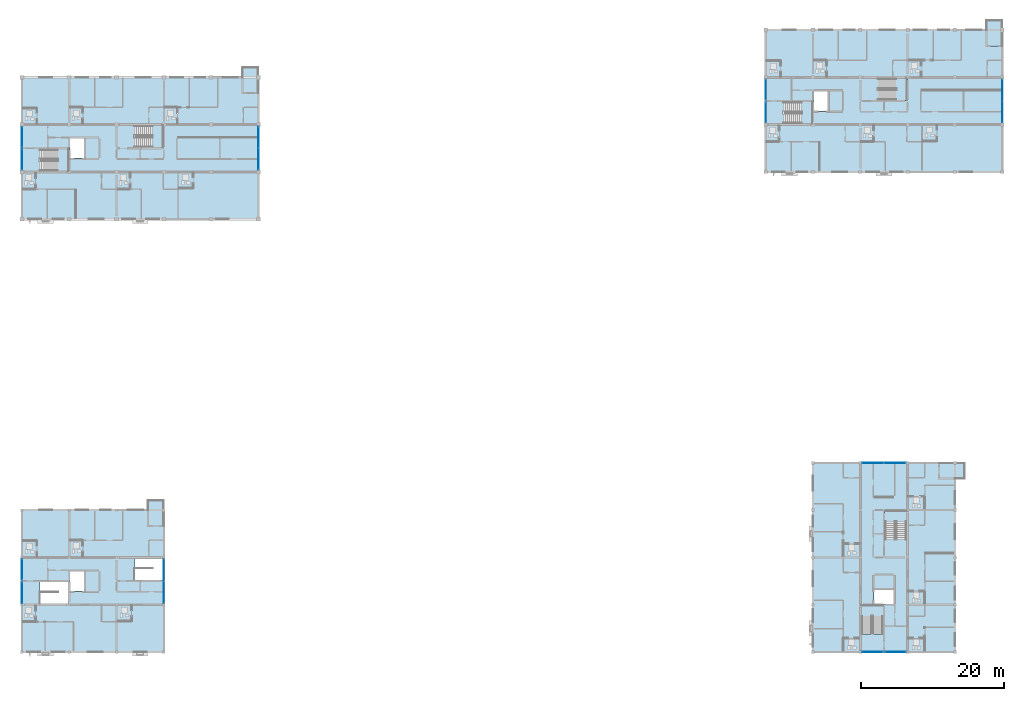
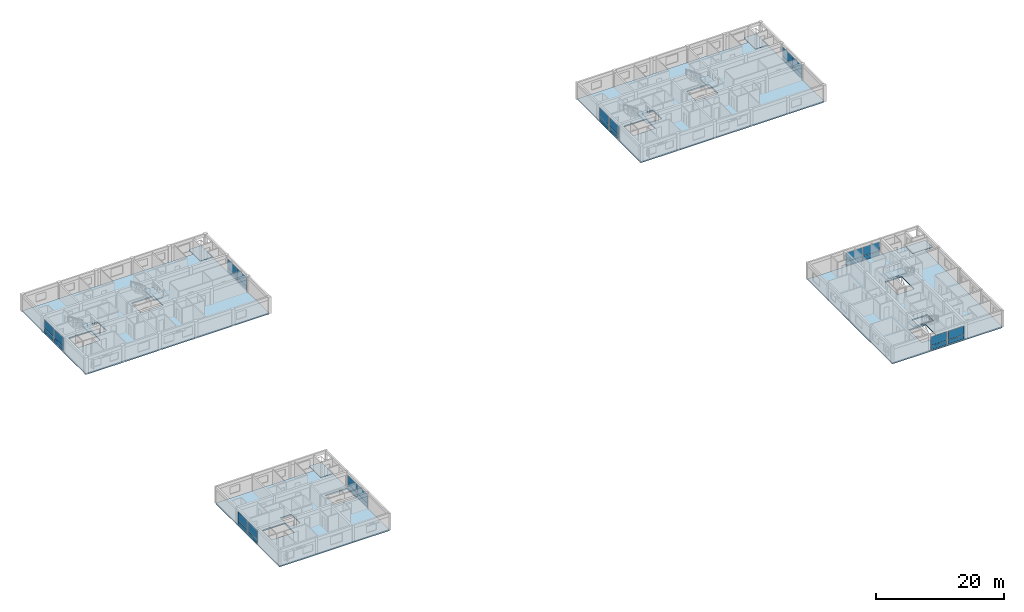
# One storey, part 24 of 49: 32 plates, 14 slabs, 18 elements without a shape of their own.
"""IFC4 building model written with IfcOpenShell, lengths in metres."""

from ifc_helpers import new_model, si_unit, direction, frame, origin, origin_2d, place, context, subcontext, project, spatial, polyline, rectangle, outline, extrude, material, layer, layer_set, type_object, element, aggregate, save


model = new_model("IFC4")

# Units and contexts
model_context = context("Model", 3, precision=1e-05, world=origin(), true_north=direction((0.0, 1.0)))
body_context = subcontext(model_context, "Body", "Model", "MODEL_VIEW")
ifc_project = project(units=[si_unit("LENGTHUNIT", "METRE"), si_unit("AREAUNIT", "SQUARE_METRE"), si_unit("VOLUMEUNIT", "CUBIC_METRE"), si_unit("PLANEANGLEUNIT", "RADIAN"), si_unit("MASSUNIT", "GRAM", prefix="KILO")], contexts=[model_context])

# Site, building, storey
site_placement = place(None, origin())
site = spatial("IfcSite", under=ifc_project, at=site_placement, CompositionType="ELEMENT")
building_placement = place(site_placement, origin())
building = spatial("IfcBuilding", under=site, at=building_placement, Name="Kernevlak Ridge Housing Community", CompositionType="ELEMENT")
storey_placement = place(building_placement, frame((0.0, 0.0, 30.800048828125)))
storey = spatial("IfcBuildingStorey", under=building, at=storey_placement, Name="L09", CompositionType="ELEMENT", Elevation=30.800048828125)

# Curtain wall, plate
ifc_material_1 = material(Name="Aluminium EN AW-6060 anodised and laminated glass", Category="aluminium")
curtain_wall_type_1 = type_object("IfcCurtainWallType", Name="CW-01", PredefinedType="NOTDEFINED", material=ifc_material_1)
curtain_wall_1_placement = place(storey_placement, origin())
curtain_wall_1 = element("IfcCurtainWall", 1, at=curtain_wall_1_placement, inside=storey, type_object=curtain_wall_type_1, Name="Curtain wall CW-01 CW-L09-028", PredefinedType="NOTDEFINED")
ifc_material_2 = material(Name="Solar-control double glazing glass", Category="glass")
ifc_layer_1 = layer(ifc_material_2, 0.02392578125, Name="Solar-control double glazing glass")
ifc_layer_set_1 = layer_set([ifc_layer_1], Name="Solar-control double glazing glass")
plate_type_1 = type_object("IfcPlateType", Name="CP-01", PredefinedType="CURTAIN_PANEL", material=ifc_layer_set_1)
plate_1_placement = place(storey_placement, frame((15.60009765625, 84.33251953125, 0.8798828125), z_axis=(0.0, 0.0, 1.0), x_axis=(0.0, 1.0, 0.0)))
plate_1 = element("IfcPlate", 2, at=plate_1_placement, type_object=plate_type_1, Name="CW-01 panel 1.2", PredefinedType="CURTAIN_PANEL", context=body_context, shape_type="SweptSolid", body=[
    extrude(rectangle(XDim=2.794921875, YDim=0.02392578125, at=origin_2d()), origin(), (0.0, 0.0, 1.0), 1.659912109375),
])

curtain_wall_type_2 = type_object("IfcCurtainWallType", Name="CW-07", PredefinedType="NOTDEFINED", material=ifc_material_1)
curtain_wall_2_placement = place(storey_placement, origin())
curtain_wall_2 = element("IfcCurtainWall", 3, at=curtain_wall_2_placement, inside=storey, type_object=curtain_wall_type_2, Name="Curtain wall CW-07 CW-L09-029", PredefinedType="NOTDEFINED")
plate_2_placement = place(storey_placement, frame((15.60009765625, 87.467529296875, 0.88232421875), z_axis=(0.0, 0.0, 1.0), x_axis=(0.0, 1.0, 0.0)))
plate_2 = element("IfcPlate", 4, at=plate_2_placement, type_object=plate_type_1, Name="CW-07 panel 1.2", PredefinedType="CURTAIN_PANEL", context=body_context, shape_type="SweptSolid", body=[
    extrude(rectangle(XDim=2.784912109375, YDim=0.02392578125, at=origin_2d()), origin(), (0.0, 0.0, 1.0), 1.652587890625),
])

# Curtain wall, plates
curtain_wall_type_3 = type_object("IfcCurtainWallType", Name="CW-11", PredefinedType="NOTDEFINED", material=ifc_material_1)
curtain_wall_3_placement = place(storey_placement, origin())
curtain_wall_3 = element("IfcCurtainWall", 5, at=curtain_wall_3_placement, inside=storey, type_object=curtain_wall_type_3, Name="Curtain wall CW-11 CW-L09-030", PredefinedType="NOTDEFINED")
plate_3_placement = place(storey_placement, frame((48.60009765625, 84.4013671875, 0.87744140625), z_axis=(0.0, 0.0, 1.0), x_axis=(0.0, 1.0, 0.0)))
plate_3 = element("IfcPlate", 6, at=plate_3_placement, type_object=plate_type_1, Name="CW-11 panel 1.2", PredefinedType="CURTAIN_PANEL", context=body_context, shape_type="SweptSolid", body=[
    extrude(rectangle(XDim=2.9423828125, YDim=0.02392578125, at=origin_2d()), origin(), (0.0, 0.0, 1.0), 1.66748046875),
])
plate_4_placement = place(storey_placement, frame((48.60009765625, 87.398681640625, 0.87744140625), z_axis=(0.0, 0.0, 1.0), x_axis=(0.0, 1.0, 0.0)))
plate_4 = element("IfcPlate", 7, at=plate_4_placement, type_object=plate_type_1, Name="CW-11 panel 2.2", PredefinedType="CURTAIN_PANEL", context=body_context, shape_type="SweptSolid", body=[
    extrude(rectangle(XDim=2.9423828125, YDim=0.02392578125, at=origin_2d()), origin(), (0.0, 0.0, 1.0), 1.66748046875),
])

# Curtain wall, plate
curtain_wall_type_4 = type_object("IfcCurtainWallType", Name="CW-04", PredefinedType="NOTDEFINED", material=ifc_material_1)
curtain_wall_4_placement = place(storey_placement, origin())
curtain_wall_4 = element("IfcCurtainWall", 8, at=curtain_wall_4_placement, inside=storey, type_object=curtain_wall_type_4, Name="Curtain wall CW-04 CW-L09-082", PredefinedType="NOTDEFINED")
plate_5_placement = place(storey_placement, frame((119.39990234375, 90.919921875, 0.8798828125), z_axis=(0.0, 0.0, 1.0), x_axis=(0.0, 1.0, 0.0)))
plate_5 = element("IfcPlate", 9, at=plate_5_placement, type_object=plate_type_1, Name="CW-04 panel 1.2", PredefinedType="CURTAIN_PANEL", context=body_context, shape_type="SweptSolid", body=[
    extrude(rectangle(XDim=2.820068359375, YDim=0.02392578125, at=origin_2d()), origin(), (0.0, 0.0, 1.0), 1.659912109375),
])

curtain_wall_type_5 = type_object("IfcCurtainWallType", Name="CW-10", PredefinedType="NOTDEFINED", material=ifc_material_1)
curtain_wall_5_placement = place(storey_placement, origin())
curtain_wall_5 = element("IfcCurtainWall", 10, at=curtain_wall_5_placement, inside=storey, type_object=curtain_wall_type_5, Name="Curtain wall CW-10 CW-L09-083", PredefinedType="NOTDEFINED")
plate_6_placement = place(storey_placement, frame((119.39990234375, 94.080078125, 0.88232421875), z_axis=(0.0, 0.0, 1.0), x_axis=(0.0, 1.0, 0.0)))
plate_6 = element("IfcPlate", 11, at=plate_6_placement, type_object=plate_type_1, Name="CW-10 panel 1.2", PredefinedType="CURTAIN_PANEL", context=body_context, shape_type="SweptSolid", body=[
    extrude(rectangle(XDim=2.81005859375, YDim=0.02392578125, at=origin_2d()), origin(), (0.0, 0.0, 1.0), 1.652587890625),
])

# Curtain wall, plates
curtain_wall_type_6 = type_object("IfcCurtainWallType", Name="CW-13", PredefinedType="NOTDEFINED", material=ifc_material_1)
curtain_wall_6_placement = place(storey_placement, origin())
curtain_wall_6 = element("IfcCurtainWall", 12, at=curtain_wall_6_placement, inside=storey, type_object=curtain_wall_type_6, Name="Curtain wall CW-13 CW-L09-084", PredefinedType="NOTDEFINED")
plate_7_placement = place(storey_placement, frame((152.39990234375, 90.98876953125, 0.87744140625), z_axis=(0.0, 0.0, 1.0), x_axis=(0.0, 1.0, 0.0)))
plate_7 = element("IfcPlate", 13, at=plate_7_placement, type_object=plate_type_1, Name="CW-13 panel 1.2", PredefinedType="CURTAIN_PANEL", context=body_context, shape_type="SweptSolid", body=[
    extrude(rectangle(XDim=2.967529296875, YDim=0.02392578125, at=origin_2d()), origin(), (0.0, 0.0, 1.0), 1.66748046875),
])
plate_8_placement = place(storey_placement, frame((152.39990234375, 94.01123046875, 0.87744140625), z_axis=(0.0, 0.0, 1.0), x_axis=(0.0, 1.0, 0.0)))
plate_8 = element("IfcPlate", 14, at=plate_8_placement, type_object=plate_type_1, Name="CW-13 panel 2.2", PredefinedType="CURTAIN_PANEL", context=body_context, shape_type="SweptSolid", body=[
    extrude(rectangle(XDim=2.967529296875, YDim=0.02392578125, at=origin_2d()), origin(), (0.0, 0.0, 1.0), 1.66748046875),
])

# Curtain wall, plate
curtain_wall_7_placement = place(storey_placement, origin())
curtain_wall_7 = element("IfcCurtainWall", 15, at=curtain_wall_7_placement, inside=storey, type_object=curtain_wall_type_2, Name="Curtain wall CW-07 CW-L09-127", PredefinedType="NOTDEFINED")
plate_9_placement = place(storey_placement, frame((134.294921875, 15.60009765625, 0.8798828125), z_axis=(0.0, 0.0, 1.0), x_axis=(1.0, 0.0, 0.0)))
plate_9 = element("IfcPlate", 16, at=plate_9_placement, type_object=plate_type_1, Name="CW-07 panel 1.2", PredefinedType="CURTAIN_PANEL", context=body_context, shape_type="SweptSolid", body=[
    extrude(rectangle(XDim=2.8701171875, YDim=0.02392578125, at=origin_2d()), origin(), (0.0, 0.0, 1.0), 1.659912109375),
])

curtain_wall_8_placement = place(storey_placement, origin())
curtain_wall_8 = element("IfcCurtainWall", 17, at=curtain_wall_8_placement, inside=storey, type_object=curtain_wall_type_6, Name="Curtain wall CW-13 CW-L09-128", PredefinedType="NOTDEFINED")
plate_10_placement = place(storey_placement, frame((137.5048828125, 15.60009765625, 0.88232421875), z_axis=(0.0, 0.0, 1.0), x_axis=(1.0, 0.0, 0.0)))
plate_10 = element("IfcPlate", 18, at=plate_10_placement, type_object=plate_type_1, Name="CW-13 panel 1.2", PredefinedType="CURTAIN_PANEL", context=body_context, shape_type="SweptSolid", body=[
    extrude(rectangle(XDim=2.860107421875, YDim=0.02392578125, at=origin_2d()), origin(), (0.0, 0.0, 1.0), 1.652587890625),
])

# Curtain wall, plates
curtain_wall_9_placement = place(storey_placement, origin())
curtain_wall_9 = element("IfcCurtainWall", 19, at=curtain_wall_9_placement, inside=storey, type_object=curtain_wall_type_1, Name="Curtain wall CW-01 CW-L09-129", PredefinedType="NOTDEFINED")
plate_11_placement = place(storey_placement, frame((134.36376953125, 42.0, 0.87744140625), z_axis=(0.0, 0.0, 1.0), x_axis=(1.0, 0.0, 0.0)))
plate_11 = element("IfcPlate", 20, at=plate_11_placement, type_object=plate_type_1, Name="CW-01 panel 1.2", PredefinedType="CURTAIN_PANEL", context=body_context, shape_type="SweptSolid", body=[
    extrude(rectangle(XDim=3.017578125, YDim=0.02392578125, at=origin_2d()), origin(), (0.0, 0.0, 1.0), 1.66748046875),
])
plate_12_placement = place(storey_placement, frame((137.436279296875, 42.0, 0.87744140625), z_axis=(0.0, 0.0, 1.0), x_axis=(1.0, 0.0, 0.0)))
plate_12 = element("IfcPlate", 21, at=plate_12_placement, type_object=plate_type_1, Name="CW-01 panel 2.2", PredefinedType="CURTAIN_PANEL", context=body_context, shape_type="SweptSolid", body=[
    extrude(rectangle(XDim=3.017578125, YDim=0.02392578125, at=origin_2d()), origin(), (0.0, 0.0, 1.0), 1.66748046875),
])

# Curtain wall, plate
curtain_wall_10_placement = place(storey_placement, origin())
curtain_wall_10 = element("IfcCurtainWall", 22, at=curtain_wall_10_placement, inside=storey, type_object=curtain_wall_type_5, Name="Curtain wall CW-10 CW-L09-166", PredefinedType="NOTDEFINED")
plate_13_placement = place(storey_placement, frame((15.60009765625, 23.882568359375, 0.8798828125), z_axis=(0.0, 0.0, 1.0), x_axis=(0.0, 1.0, 0.0)))
plate_13 = element("IfcPlate", 23, at=plate_13_placement, type_object=plate_type_1, Name="CW-10 panel 1.2", PredefinedType="CURTAIN_PANEL", context=body_context, shape_type="SweptSolid", body=[
    extrude(rectangle(XDim=2.89501953125, YDim=0.02392578125, at=origin_2d()), origin(), (0.0, 0.0, 1.0), 1.659912109375),
])

curtain_wall_type_7 = type_object("IfcCurtainWallType", Name="CW-02", PredefinedType="NOTDEFINED", material=ifc_material_1)
curtain_wall_11_placement = place(storey_placement, origin())
curtain_wall_11 = element("IfcCurtainWall", 24, at=curtain_wall_11_placement, inside=storey, type_object=curtain_wall_type_7, Name="Curtain wall CW-02 CW-L09-167", PredefinedType="NOTDEFINED")
plate_14_placement = place(storey_placement, frame((15.60009765625, 27.117431640625, 0.88232421875), z_axis=(0.0, 0.0, 1.0), x_axis=(0.0, 1.0, 0.0)))
plate_14 = element("IfcPlate", 25, at=plate_14_placement, type_object=plate_type_1, Name="CW-02 panel 1.2", PredefinedType="CURTAIN_PANEL", context=body_context, shape_type="SweptSolid", body=[
    extrude(rectangle(XDim=2.885009765625, YDim=0.02392578125, at=origin_2d()), origin(), (0.0, 0.0, 1.0), 1.652587890625),
])

# Curtain wall, plates
curtain_wall_type_8 = type_object("IfcCurtainWallType", Name="CW-03", PredefinedType="NOTDEFINED", material=ifc_material_1)
curtain_wall_12_placement = place(storey_placement, origin())
curtain_wall_12 = element("IfcCurtainWall", 26, at=curtain_wall_12_placement, inside=storey, type_object=curtain_wall_type_8, Name="Curtain wall CW-03 CW-L09-168", PredefinedType="NOTDEFINED")
plate_15_placement = place(storey_placement, frame((35.39990234375, 23.951171875, 0.87744140625), z_axis=(0.0, 0.0, 1.0), x_axis=(0.0, 1.0, 0.0)))
plate_15 = element("IfcPlate", 27, at=plate_15_placement, type_object=plate_type_1, Name="CW-03 panel 1.2", PredefinedType="CURTAIN_PANEL", context=body_context, shape_type="SweptSolid", body=[
    extrude(rectangle(XDim=3.04248046875, YDim=0.02392578125, at=origin_2d()), origin(), (0.0, 0.0, 1.0), 1.66748046875),
])
plate_16_placement = place(storey_placement, frame((35.39990234375, 27.048828125, 0.87744140625), z_axis=(0.0, 0.0, 1.0), x_axis=(0.0, 1.0, 0.0)))
plate_16 = element("IfcPlate", 28, at=plate_16_placement, type_object=plate_type_1, Name="CW-03 panel 2.2", PredefinedType="CURTAIN_PANEL", context=body_context, shape_type="SweptSolid", body=[
    extrude(rectangle(XDim=3.04248046875, YDim=0.02392578125, at=origin_2d()), origin(), (0.0, 0.0, 1.0), 1.66748046875),
])

# Plate
ifc_material_3 = material(Name="Aluminium EN AW-5005 enamelled panel", Category="aluminium")
ifc_layer_2 = layer(ifc_material_3, 0.033935546875, Name="Aluminium EN AW-5005 enamelled panel")
ifc_layer_set_2 = layer_set([ifc_layer_2], Name="Aluminium EN AW-5005 enamelled panel")
plate_type_2 = type_object("IfcPlateType", Name="CP-03", PredefinedType="CURTAIN_PANEL", material=ifc_layer_set_2)
plate_17_placement = place(storey_placement, frame((15.60009765625, 84.33251953125, 0.06005859375), z_axis=(0.0, 0.0, 1.0), x_axis=(0.0, 1.0, 0.0)))
plate_17 = element("IfcPlate", 29, at=plate_17_placement, type_object=plate_type_2, Name="CW-01 panel 1.1", PredefinedType="CURTAIN_PANEL", context=body_context, shape_type="SweptSolid", body=[
    extrude(rectangle(XDim=2.794921875, YDim=0.033935546875, at=origin_2d()), origin(), (0.0, 0.0, 1.0), 0.760009765625),
])

aggregate(curtain_wall_1, [plate_17, plate_1])

plate_18_placement = place(storey_placement, frame((35.39990234375, 23.951171875, 0.054931640625), z_axis=(0.0, 0.0, 1.0), x_axis=(0.0, 1.0, 0.0)))
plate_18 = element("IfcPlate", 30, at=plate_18_placement, type_object=plate_type_2, Name="CW-03 panel 1.1", PredefinedType="CURTAIN_PANEL", context=body_context, shape_type="SweptSolid", body=[
    extrude(rectangle(XDim=3.04248046875, YDim=0.033935546875, at=origin_2d()), origin(), (0.0, 0.0, 1.0), 0.767578125),
])

plate_19_placement = place(storey_placement, frame((35.39990234375, 27.048828125, 0.054931640625), z_axis=(0.0, 0.0, 1.0), x_axis=(0.0, 1.0, 0.0)))
plate_19 = element("IfcPlate", 31, at=plate_19_placement, type_object=plate_type_2, Name="CW-03 panel 2.1", PredefinedType="CURTAIN_PANEL", context=body_context, shape_type="SweptSolid", body=[
    extrude(rectangle(XDim=3.04248046875, YDim=0.033935546875, at=origin_2d()), origin(), (0.0, 0.0, 1.0), 0.767578125),
])

aggregate(curtain_wall_12, [plate_18, plate_15, plate_19, plate_16])

ifc_layer_3 = layer(ifc_material_3, 0.0380859375, Name="Aluminium EN AW-5005 enamelled panel")
ifc_layer_set_3 = layer_set([ifc_layer_3], Name="Aluminium EN AW-5005 enamelled panel")
plate_type_3 = type_object("IfcPlateType", Name="CP-04", PredefinedType="CURTAIN_PANEL", material=ifc_layer_set_3)
plate_20_placement = place(storey_placement, frame((15.60009765625, 87.467529296875, 0.06494140625), z_axis=(0.0, 0.0, 1.0), x_axis=(0.0, 1.0, 0.0)))
plate_20 = element("IfcPlate", 32, at=plate_20_placement, type_object=plate_type_3, Name="CW-07 panel 1.1", PredefinedType="CURTAIN_PANEL", context=body_context, shape_type="SweptSolid", body=[
    extrude(rectangle(XDim=2.784912109375, YDim=0.0380859375, at=origin_2d()), origin(), (0.0, 0.0, 1.0), 0.75244140625),
])

aggregate(curtain_wall_2, [plate_20, plate_2])

plate_21_placement = place(storey_placement, frame((119.39990234375, 90.919921875, 0.06005859375), z_axis=(0.0, 0.0, 1.0), x_axis=(0.0, 1.0, 0.0)))
plate_21 = element("IfcPlate", 33, at=plate_21_placement, type_object=plate_type_3, Name="CW-04 panel 1.1", PredefinedType="CURTAIN_PANEL", context=body_context, shape_type="SweptSolid", body=[
    extrude(rectangle(XDim=2.820068359375, YDim=0.0380859375, at=origin_2d()), origin(), (0.0, 0.0, 1.0), 0.760009765625),
])

aggregate(curtain_wall_4, [plate_21, plate_5])

ifc_layer_4 = layer(ifc_material_3, 0.0419921875, Name="Aluminium EN AW-5005 enamelled panel")
ifc_layer_set_4 = layer_set([ifc_layer_4], Name="Aluminium EN AW-5005 enamelled panel")
plate_type_4 = type_object("IfcPlateType", Name="CP-05", PredefinedType="CURTAIN_PANEL", material=ifc_layer_set_4)
plate_22_placement = place(storey_placement, frame((48.60009765625, 84.4013671875, 0.054931640625), z_axis=(0.0, 0.0, 1.0), x_axis=(0.0, 1.0, 0.0)))
plate_22 = element("IfcPlate", 34, at=plate_22_placement, type_object=plate_type_4, Name="CW-11 panel 1.1", PredefinedType="CURTAIN_PANEL", context=body_context, shape_type="SweptSolid", body=[
    extrude(rectangle(XDim=2.9423828125, YDim=0.0419921875, at=origin_2d()), origin(), (0.0, 0.0, 1.0), 0.767578125),
])

plate_23_placement = place(storey_placement, frame((48.60009765625, 87.398681640625, 0.054931640625), z_axis=(0.0, 0.0, 1.0), x_axis=(0.0, 1.0, 0.0)))
plate_23 = element("IfcPlate", 35, at=plate_23_placement, type_object=plate_type_4, Name="CW-11 panel 2.1", PredefinedType="CURTAIN_PANEL", context=body_context, shape_type="SweptSolid", body=[
    extrude(rectangle(XDim=2.9423828125, YDim=0.0419921875, at=origin_2d()), origin(), (0.0, 0.0, 1.0), 0.767578125),
])

aggregate(curtain_wall_3, [plate_22, plate_3, plate_23, plate_4])

plate_24_placement = place(storey_placement, frame((119.39990234375, 94.080078125, 0.06494140625), z_axis=(0.0, 0.0, 1.0), x_axis=(0.0, 1.0, 0.0)))
plate_24 = element("IfcPlate", 36, at=plate_24_placement, type_object=plate_type_4, Name="CW-10 panel 1.1", PredefinedType="CURTAIN_PANEL", context=body_context, shape_type="SweptSolid", body=[
    extrude(rectangle(XDim=2.81005859375, YDim=0.0419921875, at=origin_2d()), origin(), (0.0, 0.0, 1.0), 0.75244140625),
])

aggregate(curtain_wall_5, [plate_24, plate_6])

plate_25_placement = place(storey_placement, frame((134.294921875, 15.60009765625, 0.06005859375), z_axis=(0.0, 0.0, 1.0), x_axis=(1.0, 0.0, 0.0)))
plate_25 = element("IfcPlate", 37, at=plate_25_placement, type_object=plate_type_4, Name="CW-07 panel 1.1", PredefinedType="CURTAIN_PANEL", context=body_context, shape_type="SweptSolid", body=[
    extrude(rectangle(XDim=2.8701171875, YDim=0.0419921875, at=origin_2d()), origin(), (0.0, 0.0, 1.0), 0.760009765625),
])

aggregate(curtain_wall_7, [plate_25, plate_9])

ifc_material_4 = material(Name="Aluminium EN AW-5005 insulated panel", Category="aluminium")
ifc_layer_5 = layer(ifc_material_4, 0.0458984375, Name="Aluminium EN AW-5005 insulated panel")
ifc_layer_set_5 = layer_set([ifc_layer_5], Name="Aluminium EN AW-5005 insulated panel")
plate_type_5 = type_object("IfcPlateType", Name="CP-06", PredefinedType="CURTAIN_PANEL", material=ifc_layer_set_5)
plate_26_placement = place(storey_placement, frame((152.39990234375, 90.98876953125, 0.054931640625), z_axis=(0.0, 0.0, 1.0), x_axis=(0.0, 1.0, 0.0)))
plate_26 = element("IfcPlate", 38, at=plate_26_placement, type_object=plate_type_5, Name="CW-13 panel 1.1", PredefinedType="CURTAIN_PANEL", context=body_context, shape_type="SweptSolid", body=[
    extrude(rectangle(XDim=2.967529296875, YDim=0.0458984375, at=origin_2d()), origin(), (0.0, 0.0, 1.0), 0.767578125),
])

plate_27_placement = place(storey_placement, frame((152.39990234375, 94.01123046875, 0.054931640625), z_axis=(0.0, 0.0, 1.0), x_axis=(0.0, 1.0, 0.0)))
plate_27 = element("IfcPlate", 39, at=plate_27_placement, type_object=plate_type_5, Name="CW-13 panel 2.1", PredefinedType="CURTAIN_PANEL", context=body_context, shape_type="SweptSolid", body=[
    extrude(rectangle(XDim=2.967529296875, YDim=0.0458984375, at=origin_2d()), origin(), (0.0, 0.0, 1.0), 0.767578125),
])

aggregate(curtain_wall_6, [plate_26, plate_7, plate_27, plate_8])

plate_28_placement = place(storey_placement, frame((137.5048828125, 15.60009765625, 0.06494140625), z_axis=(0.0, 0.0, 1.0), x_axis=(1.0, 0.0, 0.0)))
plate_28 = element("IfcPlate", 40, at=plate_28_placement, type_object=plate_type_5, Name="CW-13 panel 1.1", PredefinedType="CURTAIN_PANEL", context=body_context, shape_type="SweptSolid", body=[
    extrude(rectangle(XDim=2.860107421875, YDim=0.0458984375, at=origin_2d()), origin(), (0.0, 0.0, 1.0), 0.75244140625),
])

aggregate(curtain_wall_8, [plate_28, plate_10])

plate_29_placement = place(storey_placement, frame((15.60009765625, 23.882568359375, 0.06005859375), z_axis=(0.0, 0.0, 1.0), x_axis=(0.0, 1.0, 0.0)))
plate_29 = element("IfcPlate", 41, at=plate_29_placement, type_object=plate_type_5, Name="CW-10 panel 1.1", PredefinedType="CURTAIN_PANEL", context=body_context, shape_type="SweptSolid", body=[
    extrude(rectangle(XDim=2.89501953125, YDim=0.0458984375, at=origin_2d()), origin(), (0.0, 0.0, 1.0), 0.760009765625),
])

aggregate(curtain_wall_10, [plate_29, plate_13])

ifc_layer_6 = layer(ifc_material_4, 0.050048828125, Name="Aluminium EN AW-5005 insulated panel")
ifc_layer_set_6 = layer_set([ifc_layer_6], Name="Aluminium EN AW-5005 insulated panel")
plate_type_6 = type_object("IfcPlateType", Name="CP-07", PredefinedType="CURTAIN_PANEL", material=ifc_layer_set_6)
plate_30_placement = place(storey_placement, frame((134.36376953125, 42.0, 0.054931640625), z_axis=(0.0, 0.0, 1.0), x_axis=(1.0, 0.0, 0.0)))
plate_30 = element("IfcPlate", 42, at=plate_30_placement, type_object=plate_type_6, Name="CW-01 panel 1.1", PredefinedType="CURTAIN_PANEL", context=body_context, shape_type="SweptSolid", body=[
    extrude(rectangle(XDim=3.017578125, YDim=0.050048828125, at=origin_2d()), origin(), (0.0, 0.0, 1.0), 0.767578125),
])

plate_31_placement = place(storey_placement, frame((137.436279296875, 42.0, 0.054931640625), z_axis=(0.0, 0.0, 1.0), x_axis=(1.0, 0.0, 0.0)))
plate_31 = element("IfcPlate", 43, at=plate_31_placement, type_object=plate_type_6, Name="CW-01 panel 2.1", PredefinedType="CURTAIN_PANEL", context=body_context, shape_type="SweptSolid", body=[
    extrude(rectangle(XDim=3.017578125, YDim=0.050048828125, at=origin_2d()), origin(), (0.0, 0.0, 1.0), 0.767578125),
])

aggregate(curtain_wall_9, [plate_30, plate_11, plate_31, plate_12])

plate_32_placement = place(storey_placement, frame((15.60009765625, 27.117431640625, 0.06494140625), z_axis=(0.0, 0.0, 1.0), x_axis=(0.0, 1.0, 0.0)))
plate_32 = element("IfcPlate", 44, at=plate_32_placement, type_object=plate_type_6, Name="CW-02 panel 1.1", PredefinedType="CURTAIN_PANEL", context=body_context, shape_type="SweptSolid", body=[
    extrude(rectangle(XDim=2.885009765625, YDim=0.050048828125, at=origin_2d()), origin(), (0.0, 0.0, 1.0), 0.75244140625),
])

aggregate(curtain_wall_11, [plate_32, plate_14])

# Slabs
ifc_material_5 = material(Name="Concrete C35/45", Category="concrete")
ifc_layer_7 = layer(ifc_material_5, 0.199951171875, Name="Concrete C35/45")
ifc_layer_set_7 = layer_set([ifc_layer_7], Name="Concrete C35/45")
slab_type_1 = type_object("IfcSlabType", Name="SL-05", PredefinedType="FLOOR", material=ifc_layer_set_7)
slab_1_placement = place(storey_placement, frame((0.0, 0.0, -0.199951171875)))
element("IfcSlab", 45, at=slab_1_placement, inside=storey, type_object=slab_type_1, Name="Block A L09 corner balcony deck slab", PredefinedType="FLOOR", context=body_context, shape_type="SweptSolid", body=[
    extrude(outline(polyline([(46.39990234375, 93.60009765625), (48.60009765625, 93.60009765625), (48.60009765625, 97.199951171875), (46.39990234375, 97.199951171875), (46.39990234375, 93.60009765625)])), origin(), (0.0, 0.0, 1.0), 0.199951171875),
])
slab_2_placement = place(storey_placement, frame((0.0, 0.0, -0.199951171875)))
element("IfcSlab", 46, at=slab_2_placement, inside=storey, type_object=slab_type_1, Name="Block B L09 corner balcony deck slab", PredefinedType="FLOOR", context=body_context, shape_type="SweptSolid", body=[
    extrude(outline(polyline([(150.199951171875, 100.199951171875), (152.39990234375, 100.199951171875), (152.39990234375, 103.800048828125), (150.199951171875, 103.800048828125), (150.199951171875, 100.199951171875)])), origin(), (0.0, 0.0, 1.0), 0.199951171875),
])
slab_3_placement = place(storey_placement, frame((0.0, 0.0, -0.199951171875)))
element("IfcSlab", 47, at=slab_3_placement, inside=storey, type_object=slab_type_1, Name="Block C L09 corner balcony deck slab", PredefinedType="FLOOR", context=body_context, shape_type="SweptSolid", body=[
    extrude(outline(polyline([(147.199951171875, 39.800048828125), (147.199951171875, 42.0), (143.60009765625, 42.0), (143.60009765625, 39.800048828125), (147.199951171875, 39.800048828125)])), origin(), (0.0, 0.0, 1.0), 0.199951171875),
])
slab_4_placement = place(storey_placement, frame((0.0, 0.0, -0.199951171875)))
element("IfcSlab", 48, at=slab_4_placement, inside=storey, type_object=slab_type_1, Name="Block D L09 corner balcony deck slab", PredefinedType="FLOOR", context=body_context, shape_type="SweptSolid", body=[
    extrude(outline(polyline([(33.199951171875, 33.199951171875), (35.39990234375, 33.199951171875), (35.39990234375, 36.800048828125), (33.199951171875, 36.800048828125), (33.199951171875, 33.199951171875)])), origin(), (0.0, 0.0, 1.0), 0.199951171875),
])

# Stair, slab
stair_type_1 = type_object("IfcStairType", Name="SR-06", PredefinedType="HALF_TURN_STAIR", material=ifc_material_5)
stair_1_placement = place(storey_placement, origin())
stair_1 = element("IfcStair", 49, at=stair_1_placement, inside=storey, type_object=stair_type_1, Name="Stair ST-A1 L09", PredefinedType="HALF_TURN_STAIR")
ifc_layer_8 = layer(ifc_material_5, 0.18994140625, Name="Concrete C35/45")
ifc_layer_set_8 = layer_set([ifc_layer_8], Name="Concrete C35/45")
slab_type_2 = type_object("IfcSlabType", Name="SL-13", PredefinedType="LANDING", material=ifc_layer_set_8)
slab_5_placement = place(storey_placement, frame((0.0, 0.0, 1.409912109375)))
slab_5 = element("IfcSlab", 50, at=slab_5_placement, type_object=slab_type_2, Name="SR-06 landing 1", PredefinedType="LANDING", context=body_context, shape_type="SweptSolid", body=[
    extrude(outline(polyline([(20.5400390625, 82.64990234375), (22.14990234375, 82.64990234375), (22.14990234375, 85.85009765625), (20.5400390625, 85.85009765625), (20.5400390625, 82.64990234375)])), origin(), (0.0, 0.0, 1.0), 0.18994140625),
])
aggregate(stair_1, [slab_5])

stair_2_placement = place(storey_placement, origin())
stair_2 = element("IfcStair", 51, at=stair_2_placement, inside=storey, type_object=stair_type_1, Name="Stair ST-A2 L09", PredefinedType="HALF_TURN_STAIR")
slab_6_placement = place(storey_placement, frame((0.0, 0.0, 1.409912109375)))
slab_6 = element("IfcSlab", 52, at=slab_6_placement, type_object=slab_type_2, Name="SR-06 landing 1", PredefinedType="LANDING", context=body_context, shape_type="SweptSolid", body=[
    extrude(outline(polyline([(33.739990234375, 85.949951171875), (35.35009765625, 85.949951171875), (35.35009765625, 89.14990234375), (33.739990234375, 89.14990234375), (33.739990234375, 85.949951171875)])), origin(), (0.0, 0.0, 1.0), 0.18994140625),
])
aggregate(stair_2, [slab_6])

stair_type_2 = type_object("IfcStairType", Name="SR-01", PredefinedType="HALF_TURN_STAIR", material=ifc_material_5)
stair_3_placement = place(storey_placement, origin())
stair_3 = element("IfcStair", 53, at=stair_3_placement, inside=storey, type_object=stair_type_2, Name="Stair ST-B1 L09", PredefinedType="HALF_TURN_STAIR")
slab_7_placement = place(storey_placement, frame((0.0, 0.0, 1.409912109375)))
slab_7 = element("IfcSlab", 54, at=slab_7_placement, type_object=slab_type_2, Name="SR-01 landing 1", PredefinedType="LANDING", context=body_context, shape_type="SweptSolid", body=[
    extrude(outline(polyline([(124.340087890625, 89.25), (125.949951171875, 89.25), (125.949951171875, 92.449951171875), (124.340087890625, 92.449951171875), (124.340087890625, 89.25)])), origin(), (0.0, 0.0, 1.0), 0.18994140625),
])
aggregate(stair_3, [slab_7])

stair_4_placement = place(storey_placement, origin())
stair_4 = element("IfcStair", 55, at=stair_4_placement, inside=storey, type_object=stair_type_2, Name="Stair ST-B2 L09", PredefinedType="HALF_TURN_STAIR")
slab_8_placement = place(storey_placement, frame((0.0, 0.0, 1.409912109375)))
slab_8 = element("IfcSlab", 56, at=slab_8_placement, type_object=slab_type_2, Name="SR-01 landing 1", PredefinedType="LANDING", context=body_context, shape_type="SweptSolid", body=[
    extrude(outline(polyline([(137.5400390625, 92.550048828125), (139.14990234375, 92.550048828125), (139.14990234375, 95.75), (137.5400390625, 95.75), (137.5400390625, 92.550048828125)])), origin(), (0.0, 0.0, 1.0), 0.18994140625),
])
aggregate(stair_4, [slab_8])

stair_5_placement = place(storey_placement, origin())
stair_5 = element("IfcStair", 57, at=stair_5_placement, inside=storey, type_object=stair_type_1, Name="Stair ST-C1 L09", PredefinedType="HALF_TURN_STAIR")
slab_9_placement = place(storey_placement, frame((0.0, 0.0, 1.409912109375)))
slab_9 = element("IfcSlab", 58, at=slab_9_placement, type_object=slab_type_2, Name="SR-06 landing 1", PredefinedType="LANDING", context=body_context, shape_type="SweptSolid", body=[
    extrude(outline(polyline([(135.85009765625, 20.5400390625), (135.85009765625, 22.14990234375), (132.64990234375, 22.14990234375), (132.64990234375, 20.5400390625), (135.85009765625, 20.5400390625)])), origin(), (0.0, 0.0, 1.0), 0.18994140625),
])
aggregate(stair_5, [slab_9])

stair_6_placement = place(storey_placement, origin())
stair_6 = element("IfcStair", 59, at=stair_6_placement, inside=storey, type_object=stair_type_1, Name="Stair ST-C2 L09", PredefinedType="HALF_TURN_STAIR")
slab_10_placement = place(storey_placement, frame((0.0, 0.0, 1.409912109375)))
slab_10 = element("IfcSlab", 60, at=slab_10_placement, type_object=slab_type_2, Name="SR-06 landing 1", PredefinedType="LANDING", context=body_context, shape_type="SweptSolid", body=[
    extrude(outline(polyline([(139.14990234375, 33.739990234375), (139.14990234375, 35.35009765625), (135.949951171875, 35.35009765625), (135.949951171875, 33.739990234375), (139.14990234375, 33.739990234375)])), origin(), (0.0, 0.0, 1.0), 0.18994140625),
])
aggregate(stair_6, [slab_10])

# Slabs
ifc_layer_9 = layer(ifc_material_5, 0.22998046875, Name="Concrete C35/45")
ifc_layer_set_9 = layer_set([ifc_layer_9], Name="Concrete C35/45")
slab_type_3 = type_object("IfcSlabType", Name="SL-16", PredefinedType="FLOOR", material=ifc_layer_set_9)
slab_11_placement = place(storey_placement, frame((0.0, 0.0, -0.22998046875)))
element("IfcSlab", 61, at=slab_11_placement, inside=storey, type_object=slab_type_3, Name="Block A level L09 floor slab", PredefinedType="FLOOR", context=body_context, shape_type="SweptSolid", body=[
    extrude(outline(polyline([(15.60009765625, 76.0), (48.60009765625, 76.0), (48.60009765625, 93.60009765625), (46.39990234375, 93.60009765625), (46.39990234375, 95.800048828125), (15.60009765625, 95.800048828125), (15.60009765625, 76.0)]), holes=[polyline([(18.139892578125, 85.75), (22.1201171875, 85.75), (22.1201171875, 82.75), (18.139892578125, 82.75), (18.139892578125, 85.75)]), polyline([(31.340087890625, 89.050048828125), (35.320068359375, 89.050048828125), (35.320068359375, 86.050048828125), (31.340087890625, 86.050048828125), (31.340087890625, 89.050048828125)]), polyline([(22.320068359375, 87.280029296875), (24.280029296875, 87.280029296875), (24.280029296875, 84.52001953125), (22.320068359375, 84.52001953125), (22.320068359375, 87.280029296875)])]), origin(), (0.0, 0.0, 1.0), 0.22998046875),
])
slab_12_placement = place(storey_placement, frame((0.0, 0.0, -0.22998046875)))
element("IfcSlab", 62, at=slab_12_placement, inside=storey, type_object=slab_type_3, Name="Block B level L09 floor slab", PredefinedType="FLOOR", context=body_context, shape_type="SweptSolid", body=[
    extrude(outline(polyline([(119.39990234375, 82.60009765625), (152.39990234375, 82.60009765625), (152.39990234375, 100.199951171875), (150.199951171875, 100.199951171875), (150.199951171875, 102.39990234375), (119.39990234375, 102.39990234375), (119.39990234375, 82.60009765625)]), holes=[polyline([(121.93994140625, 92.35009765625), (125.919921875, 92.35009765625), (125.919921875, 89.35009765625), (121.93994140625, 89.35009765625), (121.93994140625, 92.35009765625)]), polyline([(135.139892578125, 95.64990234375), (139.1201171875, 95.64990234375), (139.1201171875, 92.64990234375), (135.139892578125, 92.64990234375), (135.139892578125, 95.64990234375)]), polyline([(126.1201171875, 93.8798828125), (128.080078125, 93.8798828125), (128.080078125, 91.1201171875), (126.1201171875, 91.1201171875), (126.1201171875, 93.8798828125)])]), origin(), (0.0, 0.0, 1.0), 0.22998046875),
])
slab_13_placement = place(storey_placement, frame((0.0, 0.0, -0.22998046875)))
element("IfcSlab", 63, at=slab_13_placement, inside=storey, type_object=slab_type_3, Name="Block C level L09 floor slab", PredefinedType="FLOOR", context=body_context, shape_type="SweptSolid", body=[
    extrude(outline(polyline([(145.800048828125, 15.60009765625), (145.800048828125, 39.800048828125), (143.60009765625, 39.800048828125), (143.60009765625, 42.0), (126.0, 42.0), (126.0, 15.60009765625), (145.800048828125, 15.60009765625)]), holes=[polyline([(132.75, 18.139892578125), (132.75, 22.1201171875), (135.75, 22.1201171875), (135.75, 18.139892578125), (132.75, 18.139892578125)]), polyline([(136.050048828125, 31.340087890625), (136.050048828125, 35.320068359375), (139.050048828125, 35.320068359375), (139.050048828125, 31.340087890625), (136.050048828125, 31.340087890625)]), polyline([(134.52001953125, 24.280029296875), (137.280029296875, 24.280029296875), (137.280029296875, 22.320068359375), (134.52001953125, 22.320068359375), (134.52001953125, 24.280029296875)])]), origin(), (0.0, 0.0, 1.0), 0.22998046875),
])
slab_14_placement = place(storey_placement, frame((0.0, 0.0, -0.22998046875)))
element("IfcSlab", 64, at=slab_14_placement, inside=storey, type_object=slab_type_3, Name="Block D level L09 floor slab", PredefinedType="FLOOR", context=body_context, shape_type="SweptSolid", body=[
    extrude(outline(polyline([(15.60009765625, 15.60009765625), (35.39990234375, 15.60009765625), (35.39990234375, 33.199951171875), (33.199951171875, 33.199951171875), (33.199951171875, 35.39990234375), (15.60009765625, 35.39990234375), (15.60009765625, 15.60009765625)]), holes=[polyline([(18.139892578125, 25.35009765625), (22.1201171875, 25.35009765625), (22.1201171875, 22.35009765625), (18.139892578125, 22.35009765625), (18.139892578125, 25.35009765625)]), polyline([(31.340087890625, 28.64990234375), (35.320068359375, 28.64990234375), (35.320068359375, 25.64990234375), (31.340087890625, 25.64990234375), (31.340087890625, 28.64990234375)]), polyline([(22.320068359375, 26.8798828125), (24.280029296875, 26.8798828125), (24.280029296875, 24.1201171875), (22.320068359375, 24.1201171875), (22.320068359375, 26.8798828125)])]), origin(), (0.0, 0.0, 1.0), 0.22998046875),
])

save(model, "model.ifc")
